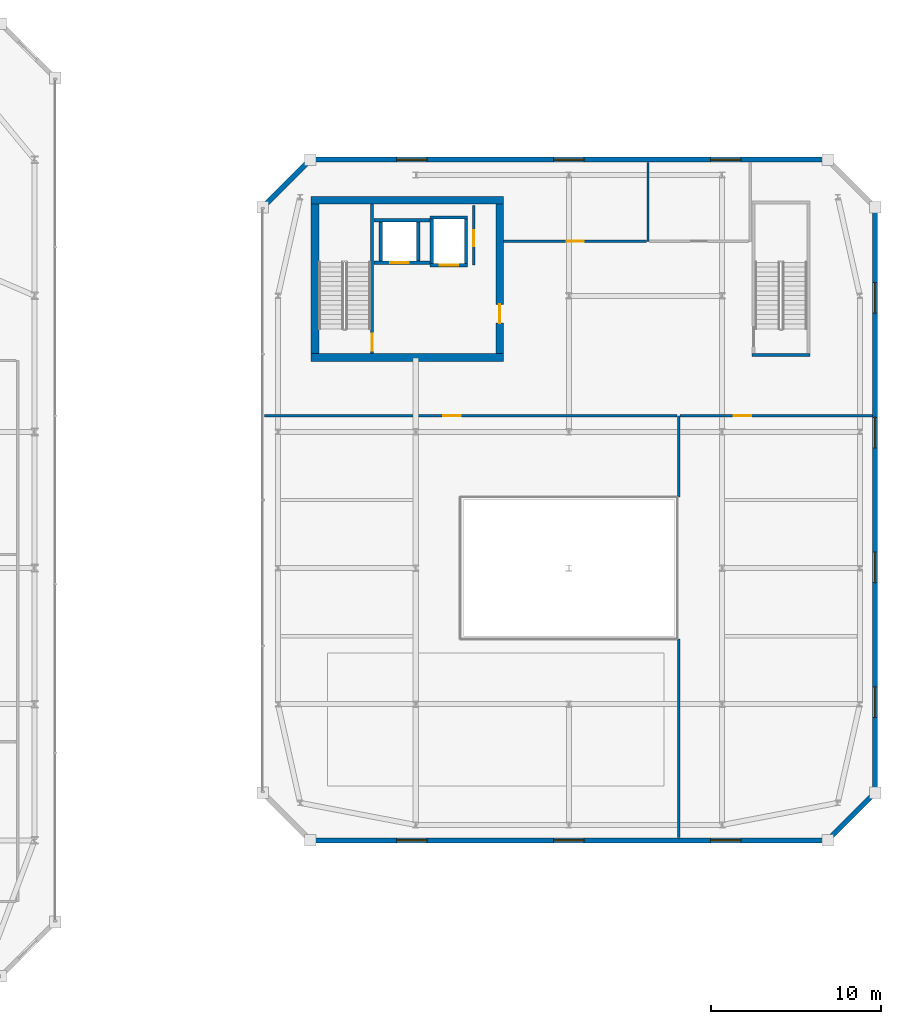
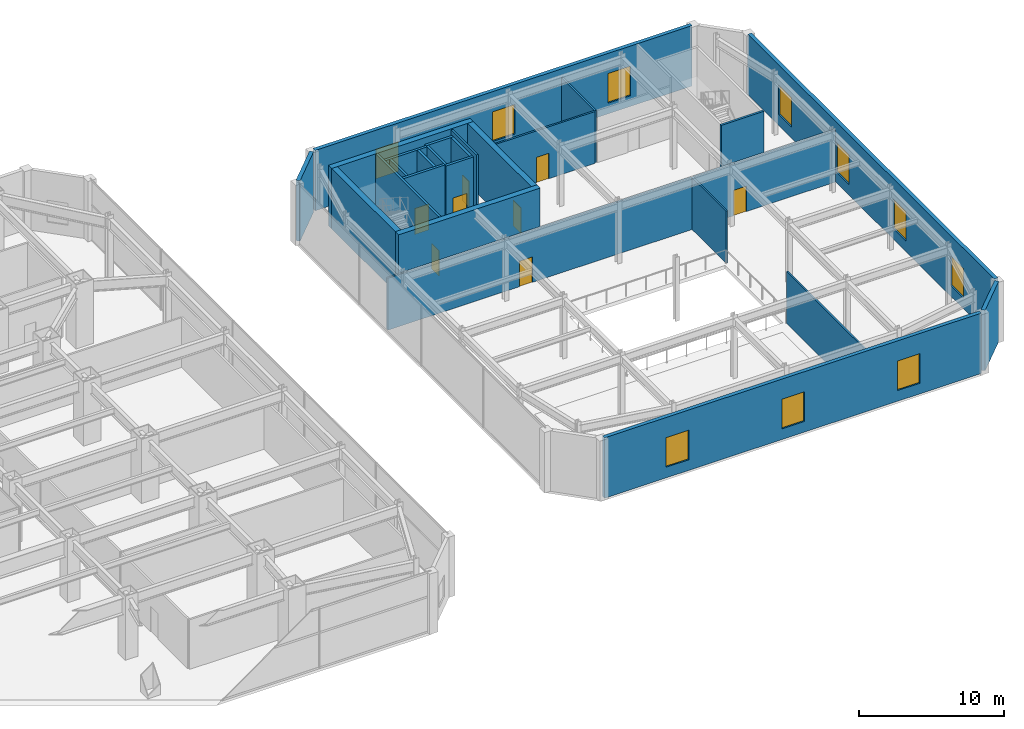
# One storey, part 42 of 52: 26 walls, 10 windows, 8 doors, 18 openings.
"""IFC4 building model written with IfcOpenShell, lengths in metres."""

from ifc_helpers import new_model, si_unit, direction, frame, frame_2d, origin, place, context, subcontext, project, spatial, rectangle, extrude, material, layer, layer_set, type_object, element, fill, save


model = new_model("IFC4")

# Units and contexts
model_context = context("Model", 3, precision=1e-05, world=origin(), true_north=direction((0.0, 1.0)))
body_context = subcontext(model_context, "Body", "Model", "MODEL_VIEW")
ifc_project = project(units=[si_unit("LENGTHUNIT", "METRE"), si_unit("AREAUNIT", "SQUARE_METRE"), si_unit("VOLUMEUNIT", "CUBIC_METRE"), si_unit("PLANEANGLEUNIT", "RADIAN"), si_unit("MASSUNIT", "GRAM", prefix="KILO")], contexts=[model_context])

# Site, building, storey
site_placement = place(None, origin())
site = spatial("IfcSite", under=ifc_project, at=site_placement, CompositionType="ELEMENT")
building_placement = place(site_placement, origin())
building = spatial("IfcBuilding", under=site, at=building_placement, Name="Saevonmaru Cultural Tower", CompositionType="ELEMENT")
storey_placement = place(building_placement, frame((0.0, 0.0, 16.800048828125)))
storey = spatial("IfcBuildingStorey", under=building, at=storey_placement, Name="L03", CompositionType="ELEMENT", Elevation=16.800048828125)

# Wall, opening, door
ifc_material_1 = material(Name="Gypsum Fireboard Partition", Category="gypsum")
ifc_layer_1 = layer(ifc_material_1, 0.14990234375, Name="Gypsum Fireboard Partition")
ifc_layer_set_1 = layer_set([ifc_layer_1], Name="Gypsum Fireboard Partition")
wall_type_1 = type_object("IfcWallType", Name="WL-CORE-PART-150", PredefinedType="PARTITIONING", material=ifc_layer_set_1)
wall_1_placement = place(storey_placement, frame((84.60009765625, 41.800048828125, 0.0), z_axis=(0.0, 0.0, 1.0), x_axis=(0.0, 1.0, 0.0)))
wall_1 = element("IfcWall", 1, at=wall_1_placement, inside=storey, type_object=wall_type_1, Name="L03 Library Core Riser Wall", PredefinedType="PARTITIONING", context=body_context, shape_type="SweptSolid", body=[
    extrude(rectangle(XDim=3.5, YDim=0.14990234375, at=frame_2d((1.75, 0.0))), origin(), (0.0, 0.0, 1.0), 5.099853515625),
])
opening_1_placement = place(wall_1_placement, frame((1.10009765625, 0.0, 0.0)))
opening_1 = element("IfcOpeningElement", 2, at=opening_1_placement, cuts=wall_1, Name="Opening FD-4", PredefinedType="OPENING", context=body_context, shape_type="SweptSolid", body=[
    extrude(rectangle(XDim=0.949951171875, YDim=2.14990234375, at=frame_2d((0.47509765625, 1.074951171875))), frame((0.0, 0.0849609375, 0.0), z_axis=(0.0, -1.0, 0.0), x_axis=(1.0, 0.0, 0.0)), (0.0, 0.0, 1.0), 0.169921875),
])
ifc_material_2 = material(Name="Satin Bronze Anodised Aluminium", Category="aluminium")
door_type_1 = type_object("IfcDoorType", Name="DR-FD60-950", OperationType="SINGLE_SWING_LEFT", PredefinedType="DOOR", material=ifc_material_2)
door_1_placement = place(opening_1_placement, origin())
door_1 = element("IfcDoor", 3, at=door_1_placement, inside=storey, type_object=door_type_1, Name="L03 Library Core Riser Plant Door", OperationType="SINGLE_SWING_LEFT", OverallHeight=2.14990234375, OverallWidth=0.949951171875, PredefinedType="DOOR", context=body_context, shape_type="SweptSolid", body=[
    extrude(rectangle(XDim=0.949951171875, YDim=2.14990234375, at=frame_2d((0.47509765625, 1.074951171875))), frame((0.0, 0.02490234375, 0.0), z_axis=(0.0, -1.0, 0.0), x_axis=(1.0, 0.0, 0.0)), (0.0, 0.0, 1.0), 0.050048828125),
])
fill(opening_1, door_1)

# Wall, openings, windows
ifc_material_3 = material(Name="Warm Limestone Precast Concrete C40/50", Category="masonry")
ifc_layer_2 = layer(ifc_material_3, 0.300048828125, Name="Warm Limestone Precast Concrete C40/50")
ifc_layer_set_2 = layer_set([ifc_layer_2], Name="Warm Limestone Precast Concrete C40/50")
wall_type_2 = type_object("IfcWallType", Name="WL-EXT-LIB-300", PredefinedType="STANDARD", material=ifc_layer_set_2)
wall_2_placement = place(storey_placement, frame((75.159912109375, 8.0, 0.0), z_axis=(0.0, 0.0, 1.0), x_axis=(1.0, 0.0, 0.0)))
wall_2 = element("IfcWall", 4, at=wall_2_placement, inside=storey, type_object=wall_type_2, Name="L03 Central Library Fluted Stone Wall E2", PredefinedType="STANDARD", context=body_context, shape_type="SweptSolid", body=[
    extrude(rectangle(XDim=30.080078125, YDim=0.300048828125, at=frame_2d((15.0400390625, 0.0))), origin(), (0.0, 0.0, 1.0), 5.099853515625),
])
opening_2_placement = place(wall_2_placement, frame((4.9130859375, 0.0, 0.89990234375)))
opening_2 = element("IfcOpeningElement", 5, at=opening_2_placement, cuts=wall_2, Name="Opening W-3B", PredefinedType="OPENING", context=body_context, shape_type="SweptSolid", body=[
    extrude(rectangle(XDim=1.800048828125, YDim=2.5, at=frame_2d((0.89990234375, 1.25))), frame((0.0, 0.16015625, 0.0), z_axis=(0.0, -1.0, 0.0), x_axis=(1.0, 0.0, 0.0)), (0.0, 0.0, 1.0), 0.320068359375),
])
opening_3_placement = place(wall_2_placement, frame((14.139892578125, 0.0, 0.89990234375)))
opening_3 = element("IfcOpeningElement", 6, at=opening_3_placement, cuts=wall_2, Name="Opening W-3B", PredefinedType="OPENING", context=body_context, shape_type="SweptSolid", body=[
    extrude(rectangle(XDim=1.800048828125, YDim=2.5, at=frame_2d((0.89990234375, 1.25))), frame((0.0, 0.16015625, 0.0), z_axis=(0.0, -1.0, 0.0), x_axis=(1.0, 0.0, 0.0)), (0.0, 0.0, 1.0), 0.320068359375),
])
opening_4_placement = place(wall_2_placement, frame((23.366943359375, 0.0, 0.89990234375)))
opening_4 = element("IfcOpeningElement", 7, at=opening_4_placement, cuts=wall_2, Name="Opening W-3B", PredefinedType="OPENING", context=body_context, shape_type="SweptSolid", body=[
    extrude(rectangle(XDim=1.800048828125, YDim=2.5, at=frame_2d((0.89990234375, 1.25))), frame((0.0, 0.16015625, 0.0), z_axis=(0.0, -1.0, 0.0), x_axis=(1.0, 0.0, 0.0)), (0.0, 0.0, 1.0), 0.320068359375),
])
window_type = type_object("IfcWindowType", Name="WN-LIB-1800x2500", PartitioningType="DOUBLE_PANEL_VERTICAL", PredefinedType="WINDOW", material=ifc_material_2)
window_1_placement = place(opening_2_placement, origin())
window_1 = element("IfcWindow", 8, at=window_1_placement, inside=storey, type_object=window_type, Name="L03 Library Reading Window E2-1", OverallHeight=2.5, OverallWidth=1.800048828125, PartitioningType="DOUBLE_PANEL_VERTICAL", PredefinedType="WINDOW", context=body_context, shape_type="SweptSolid", body=[
    extrude(rectangle(XDim=1.800048828125, YDim=2.5, at=frame_2d((0.89990234375, 1.25))), frame((0.0, 0.030029296875, 0.0), z_axis=(0.0, -1.0, 0.0), x_axis=(1.0, 0.0, 0.0)), (0.0, 0.0, 1.0), 0.06005859375),
])
fill(opening_2, window_1)
window_2_placement = place(opening_3_placement, origin())
window_2 = element("IfcWindow", 9, at=window_2_placement, inside=storey, type_object=window_type, Name="L03 Library Reading Window E2-2", OverallHeight=2.5, OverallWidth=1.800048828125, PartitioningType="DOUBLE_PANEL_VERTICAL", PredefinedType="WINDOW", context=body_context, shape_type="SweptSolid", body=[
    extrude(rectangle(XDim=1.800048828125, YDim=2.5, at=frame_2d((0.89990234375, 1.25))), frame((0.0, 0.030029296875, 0.0), z_axis=(0.0, -1.0, 0.0), x_axis=(1.0, 0.0, 0.0)), (0.0, 0.0, 1.0), 0.06005859375),
])
fill(opening_3, window_2)
window_3_placement = place(opening_4_placement, origin())
window_3 = element("IfcWindow", 10, at=window_3_placement, inside=storey, type_object=window_type, Name="L03 Library Reading Window E2-3", OverallHeight=2.5, OverallWidth=1.800048828125, PartitioningType="DOUBLE_PANEL_VERTICAL", PredefinedType="WINDOW", context=body_context, shape_type="SweptSolid", body=[
    extrude(rectangle(XDim=1.800048828125, YDim=2.5, at=frame_2d((0.89990234375, 1.25))), frame((0.0, 0.030029296875, 0.0), z_axis=(0.0, -1.0, 0.0), x_axis=(1.0, 0.0, 0.0)), (0.0, 0.0, 1.0), 0.06005859375),
])
fill(opening_4, window_3)

# Wall
wall_3_placement = place(storey_placement, frame((105.51318359375, 8.113037109375, 0.0), z_axis=(0.0, 0.0, 1.0), x_axis=(0.707073244381, 0.707140316402, 0.0)))
element("IfcWall", 11, at=wall_3_placement, inside=storey, type_object=wall_type_2, Name="L03 Central Library Fluted Stone Wall E3", PredefinedType="STANDARD", context=body_context, shape_type="SweptSolid", body=[
    extrude(rectangle(XDim=3.639892578125, YDim=0.300048828125, at=frame_2d((1.81982421875, 0.0))), origin(), (0.0, 0.0, 1.0), 5.099853515625),
])

# Wall, openings, windows
wall_4_placement = place(storey_placement, frame((108.199951171875, 10.9599609375, 0.0), z_axis=(0.0, 0.0, 1.0), x_axis=(0.0, 1.0, 0.0)))
wall_4 = element("IfcWall", 12, at=wall_4_placement, inside=storey, type_object=wall_type_2, Name="L03 Central Library Fluted Stone Wall E4", PredefinedType="STANDARD", context=body_context, shape_type="SweptSolid", body=[
    extrude(rectangle(XDim=34.080078125, YDim=0.300048828125, at=frame_2d((17.0400390625, 0.0))), origin(), (0.0, 0.0, 1.0), 5.099853515625),
])
opening_5_placement = place(wall_4_placement, frame((4.260009765625, 0.0, 0.89990234375)))
opening_5 = element("IfcOpeningElement", 13, at=opening_5_placement, cuts=wall_4, Name="Opening W-3B", PredefinedType="OPENING", context=body_context, shape_type="SweptSolid", body=[
    extrude(rectangle(XDim=1.800048828125, YDim=2.5, at=frame_2d((0.89990234375, 1.25))), frame((0.0, 0.16015625, 0.0), z_axis=(0.0, -1.0, 0.0), x_axis=(1.0, 0.0, 0.0)), (0.0, 0.0, 1.0), 0.320068359375),
])
opening_6_placement = place(wall_4_placement, frame((12.179931640625, 0.0, 0.89990234375)))
opening_6 = element("IfcOpeningElement", 14, at=opening_6_placement, cuts=wall_4, Name="Opening W-3B", PredefinedType="OPENING", context=body_context, shape_type="SweptSolid", body=[
    extrude(rectangle(XDim=1.800048828125, YDim=2.5, at=frame_2d((0.89990234375, 1.25))), frame((0.0, 0.16015625, 0.0), z_axis=(0.0, -1.0, 0.0), x_axis=(1.0, 0.0, 0.0)), (0.0, 0.0, 1.0), 0.320068359375),
])
opening_7_placement = place(wall_4_placement, frame((20.10009765625, 0.0, 0.89990234375)))
opening_7 = element("IfcOpeningElement", 15, at=opening_7_placement, cuts=wall_4, Name="Opening W-3B", PredefinedType="OPENING", context=body_context, shape_type="SweptSolid", body=[
    extrude(rectangle(XDim=1.800048828125, YDim=2.5, at=frame_2d((0.89990234375, 1.25))), frame((0.0, 0.16015625, 0.0), z_axis=(0.0, -1.0, 0.0), x_axis=(1.0, 0.0, 0.0)), (0.0, 0.0, 1.0), 0.320068359375),
])
opening_8_placement = place(wall_4_placement, frame((28.02001953125, 0.0, 0.89990234375)))
opening_8 = element("IfcOpeningElement", 16, at=opening_8_placement, cuts=wall_4, Name="Opening W-3B", PredefinedType="OPENING", context=body_context, shape_type="SweptSolid", body=[
    extrude(rectangle(XDim=1.800048828125, YDim=2.5, at=frame_2d((0.89990234375, 1.25))), frame((0.0, 0.16015625, 0.0), z_axis=(0.0, -1.0, 0.0), x_axis=(1.0, 0.0, 0.0)), (0.0, 0.0, 1.0), 0.320068359375),
])
window_4_placement = place(opening_5_placement, origin())
window_4 = element("IfcWindow", 17, at=window_4_placement, inside=storey, type_object=window_type, Name="L03 Library Reading Window E4-1", OverallHeight=2.5, OverallWidth=1.800048828125, PartitioningType="DOUBLE_PANEL_VERTICAL", PredefinedType="WINDOW", context=body_context, shape_type="SweptSolid", body=[
    extrude(rectangle(XDim=1.800048828125, YDim=2.5, at=frame_2d((0.89990234375, 1.25))), frame((0.0, 0.030029296875, 0.0), z_axis=(0.0, -1.0, 0.0), x_axis=(1.0, 0.0, 0.0)), (0.0, 0.0, 1.0), 0.06005859375),
])
fill(opening_5, window_4)
window_5_placement = place(opening_6_placement, origin())
window_5 = element("IfcWindow", 18, at=window_5_placement, inside=storey, type_object=window_type, Name="L03 Library Reading Window E4-2", OverallHeight=2.5, OverallWidth=1.800048828125, PartitioningType="DOUBLE_PANEL_VERTICAL", PredefinedType="WINDOW", context=body_context, shape_type="SweptSolid", body=[
    extrude(rectangle(XDim=1.800048828125, YDim=2.5, at=frame_2d((0.89990234375, 1.25))), frame((0.0, 0.030029296875, 0.0), z_axis=(0.0, -1.0, 0.0), x_axis=(1.0, 0.0, 0.0)), (0.0, 0.0, 1.0), 0.06005859375),
])
fill(opening_6, window_5)
window_6_placement = place(opening_7_placement, origin())
window_6 = element("IfcWindow", 19, at=window_6_placement, inside=storey, type_object=window_type, Name="L03 Library Reading Window E4-3", OverallHeight=2.5, OverallWidth=1.800048828125, PartitioningType="DOUBLE_PANEL_VERTICAL", PredefinedType="WINDOW", context=body_context, shape_type="SweptSolid", body=[
    extrude(rectangle(XDim=1.800048828125, YDim=2.5, at=frame_2d((0.89990234375, 1.25))), frame((0.0, 0.030029296875, 0.0), z_axis=(0.0, -1.0, 0.0), x_axis=(1.0, 0.0, 0.0)), (0.0, 0.0, 1.0), 0.06005859375),
])
fill(opening_7, window_6)
window_7_placement = place(opening_8_placement, origin())
window_7 = element("IfcWindow", 20, at=window_7_placement, inside=storey, type_object=window_type, Name="L03 Library Reading Window E4-4", OverallHeight=2.5, OverallWidth=1.800048828125, PartitioningType="DOUBLE_PANEL_VERTICAL", PredefinedType="WINDOW", context=body_context, shape_type="SweptSolid", body=[
    extrude(rectangle(XDim=1.800048828125, YDim=2.5, at=frame_2d((0.89990234375, 1.25))), frame((0.0, 0.030029296875, 0.0), z_axis=(0.0, -1.0, 0.0), x_axis=(1.0, 0.0, 0.0)), (0.0, 0.0, 1.0), 0.06005859375),
])
fill(opening_8, window_7)

wall_5_placement = place(storey_placement, frame((105.239990234375, 48.0, 0.0), z_axis=(0.0, 0.0, 1.0), x_axis=(-1.0, 0.0, 0.0)))
wall_5 = element("IfcWall", 21, at=wall_5_placement, inside=storey, type_object=wall_type_2, Name="L03 Central Library Fluted Stone Wall E6", PredefinedType="STANDARD", context=body_context, shape_type="SweptSolid", body=[
    extrude(rectangle(XDim=30.080078125, YDim=0.300048828125, at=frame_2d((15.0400390625, 0.0))), origin(), (0.0, 0.0, 1.0), 5.099853515625),
])
opening_9_placement = place(wall_5_placement, frame((4.9130859375, 0.0, 0.89990234375)))
opening_9 = element("IfcOpeningElement", 22, at=opening_9_placement, cuts=wall_5, Name="Opening W-3B", PredefinedType="OPENING", context=body_context, shape_type="SweptSolid", body=[
    extrude(rectangle(XDim=1.800048828125, YDim=2.5, at=frame_2d((0.89990234375, 1.25))), frame((0.0, 0.16015625, 0.0), z_axis=(0.0, -1.0, 0.0), x_axis=(1.0, 0.0, 0.0)), (0.0, 0.0, 1.0), 0.320068359375),
])
opening_10_placement = place(wall_5_placement, frame((14.139892578125, 0.0, 0.89990234375)))
opening_10 = element("IfcOpeningElement", 23, at=opening_10_placement, cuts=wall_5, Name="Opening W-3B", PredefinedType="OPENING", context=body_context, shape_type="SweptSolid", body=[
    extrude(rectangle(XDim=1.800048828125, YDim=2.5, at=frame_2d((0.89990234375, 1.25))), frame((0.0, 0.16015625, 0.0), z_axis=(0.0, -1.0, 0.0), x_axis=(1.0, 0.0, 0.0)), (0.0, 0.0, 1.0), 0.320068359375),
])
opening_11_placement = place(wall_5_placement, frame((23.366943359375, 0.0, 0.89990234375)))
opening_11 = element("IfcOpeningElement", 24, at=opening_11_placement, cuts=wall_5, Name="Opening W-3B", PredefinedType="OPENING", context=body_context, shape_type="SweptSolid", body=[
    extrude(rectangle(XDim=1.800048828125, YDim=2.5, at=frame_2d((0.89990234375, 1.25))), frame((0.0, 0.16015625, 0.0), z_axis=(0.0, -1.0, 0.0), x_axis=(1.0, 0.0, 0.0)), (0.0, 0.0, 1.0), 0.320068359375),
])
window_8_placement = place(opening_9_placement, origin())
window_8 = element("IfcWindow", 25, at=window_8_placement, inside=storey, type_object=window_type, Name="L03 Library Reading Window E6-1", OverallHeight=2.5, OverallWidth=1.800048828125, PartitioningType="DOUBLE_PANEL_VERTICAL", PredefinedType="WINDOW", context=body_context, shape_type="SweptSolid", body=[
    extrude(rectangle(XDim=1.800048828125, YDim=2.5, at=frame_2d((0.89990234375, 1.25))), frame((0.0, 0.030029296875, 0.0), z_axis=(0.0, -1.0, 0.0), x_axis=(1.0, 0.0, 0.0)), (0.0, 0.0, 1.0), 0.06005859375),
])
fill(opening_9, window_8)
window_9_placement = place(opening_10_placement, origin())
window_9 = element("IfcWindow", 26, at=window_9_placement, inside=storey, type_object=window_type, Name="L03 Library Reading Window E6-2", OverallHeight=2.5, OverallWidth=1.800048828125, PartitioningType="DOUBLE_PANEL_VERTICAL", PredefinedType="WINDOW", context=body_context, shape_type="SweptSolid", body=[
    extrude(rectangle(XDim=1.800048828125, YDim=2.5, at=frame_2d((0.89990234375, 1.25))), frame((0.0, 0.030029296875, 0.0), z_axis=(0.0, -1.0, 0.0), x_axis=(1.0, 0.0, 0.0)), (0.0, 0.0, 1.0), 0.06005859375),
])
fill(opening_10, window_9)
window_10_placement = place(opening_11_placement, origin())
window_10 = element("IfcWindow", 27, at=window_10_placement, inside=storey, type_object=window_type, Name="L03 Library Reading Window E6-3", OverallHeight=2.5, OverallWidth=1.800048828125, PartitioningType="DOUBLE_PANEL_VERTICAL", PredefinedType="WINDOW", context=body_context, shape_type="SweptSolid", body=[
    extrude(rectangle(XDim=1.800048828125, YDim=2.5, at=frame_2d((0.89990234375, 1.25))), frame((0.0, 0.030029296875, 0.0), z_axis=(0.0, -1.0, 0.0), x_axis=(1.0, 0.0, 0.0)), (0.0, 0.0, 1.0), 0.06005859375),
])
fill(opening_11, window_10)

# Walls
wall_6_placement = place(storey_placement, frame((74.886962890625, 47.886962890625, 0.0), z_axis=(0.0, 0.0, 1.0), x_axis=(-0.707106781187, -0.707106781187, 0.0)))
element("IfcWall", 28, at=wall_6_placement, inside=storey, type_object=wall_type_2, Name="L03 Central Library Fluted Stone Wall E7", PredefinedType="STANDARD", context=body_context, shape_type="SweptSolid", body=[
    extrude(rectangle(XDim=3.64013671875, YDim=0.300048828125, at=frame_2d((1.820068359375, 0.0))), origin(), (0.0, 0.0, 1.0), 5.099853515625),
])
ifc_material_4 = material(Name="Concrete C50/60", Category="concrete")
ifc_layer_3 = layer(ifc_material_4, 0.449951171875, Name="Concrete C50/60")
ifc_layer_set_3 = layer_set([ifc_layer_3], Name="Concrete C50/60")
wall_type_3 = type_object("IfcWallType", Name="WL-LCORE-450", PredefinedType="SHEAR", material=ifc_layer_set_3)
for number, where, z_axis, x_axis, name in (
    (29, (75.050048828125, 36.375, 0.0), (0.0, 0.0, 1.0), (1.0, 0.0, 0.0), "L03 Central Library RC core shear wall S"),
    (30, (75.050048828125, 45.625, 0.0), (0.0, 0.0, 1.0), (1.0, 0.0, 0.0), "L03 Central Library RC core shear wall N"),
):
    element("IfcWall", number, at=place(storey_placement, frame(where, z_axis=z_axis, x_axis=x_axis)), inside=storey, type_object=wall_type_3, Name=name, PredefinedType="SHEAR", context=body_context, shape_type="SweptSolid", body=[
        extrude(rectangle(XDim=11.300048828125, YDim=0.449951171875, at=frame_2d((5.64990234375, 0.0))), origin(), (0.0, 0.0, 1.0), 5.099853515625),
    ])
wall_7_placement = place(storey_placement, frame((75.27490234375, 36.60009765625, 0.0), z_axis=(0.0, 0.0, 1.0), x_axis=(0.0, 1.0, 0.0)))
element("IfcWall", 31, at=wall_7_placement, inside=storey, type_object=wall_type_3, Name="L03 Central Library RC core shear wall W", PredefinedType="SHEAR", context=body_context, shape_type="SweptSolid", body=[
    extrude(rectangle(XDim=8.7998046875, YDim=0.449951171875, at=frame_2d((4.39990234375, 0.0))), origin(), (0.0, 0.0, 1.0), 5.099853515625),
])

# Wall, opening, door
wall_8_placement = place(storey_placement, frame((86.125, 36.60009765625, 0.0), z_axis=(0.0, 0.0, 1.0), x_axis=(0.0, 1.0, 0.0)))
wall_8 = element("IfcWall", 32, at=wall_8_placement, inside=storey, type_object=wall_type_3, Name="L03 Central Library RC core shear wall E", PredefinedType="SHEAR", context=body_context, shape_type="SweptSolid", body=[
    extrude(rectangle(XDim=8.7998046875, YDim=0.449951171875, at=frame_2d((4.39990234375, 0.0))), origin(), (0.0, 0.0, 1.0), 5.099853515625),
])
opening_12_placement = place(wall_8_placement, frame((1.800048828125, 0.0, 0.0)))
opening_12 = element("IfcOpeningElement", 33, at=opening_12_placement, cuts=wall_8, Name="Opening FD-2", PredefinedType="OPENING", context=body_context, shape_type="SweptSolid", body=[
    extrude(rectangle(XDim=1.10009765625, YDim=2.14990234375, at=frame_2d((0.550048828125, 1.074951171875))), frame((0.0, 0.23486328125, 0.0), z_axis=(0.0, -1.0, 0.0), x_axis=(1.0, 0.0, 0.0)), (0.0, 0.0, 1.0), 0.469970703125),
])
door_type_2 = type_object("IfcDoorType", Name="DR-FD60-1100", OperationType="SINGLE_SWING_LEFT", PredefinedType="DOOR", material=ifc_material_2)
door_2_placement = place(opening_12_placement, origin())
door_2 = element("IfcDoor", 34, at=door_2_placement, inside=storey, type_object=door_type_2, Name="L03 Library Core Lobby Fire Door", OperationType="SINGLE_SWING_LEFT", OverallHeight=2.14990234375, OverallWidth=1.10009765625, PredefinedType="DOOR", context=body_context, shape_type="SweptSolid", body=[
    extrude(rectangle(XDim=1.10009765625, YDim=2.14990234375, at=frame_2d((0.550048828125, 1.074951171875))), frame((0.0, 0.02490234375, 0.0), z_axis=(0.0, -1.0, 0.0), x_axis=(1.0, 0.0, 0.0)), (0.0, 0.0, 1.0), 0.050048828125),
])
fill(opening_12, door_2)

ifc_layer_4 = layer(ifc_material_1, 0.14990234375, Name="Gypsum Fireboard Partition")
ifc_layer_set_4 = layer_set([ifc_layer_4], Name="Gypsum Fireboard Partition")
wall_type_4 = type_object("IfcWallType", Name="WL-PART-FIRE-150", PredefinedType="PARTITIONING", material=ifc_layer_set_4)
wall_9_placement = place(storey_placement, frame((72.300048828125, 32.949951171875, 0.0), z_axis=(0.0, 0.0, 1.0), x_axis=(1.0, 0.0, 0.0)))
wall_9 = element("IfcWall", 35, at=wall_9_placement, inside=storey, type_object=wall_type_4, Name="L03 Library West Reading Concourse Wall", PredefinedType="PARTITIONING", context=body_context, shape_type="SweptSolid", body=[
    extrude(rectangle(XDim=24.262451171875, YDim=0.14990234375, at=frame_2d((12.13134765625, 0.0))), origin(), (0.0, 0.0, 1.0), 4.385009765625),
])
opening_13_placement = place(wall_9_placement, frame((10.506103515625, 0.0, 0.0)))
opening_13 = element("IfcOpeningElement", 36, at=opening_13_placement, cuts=wall_9, Name="Opening ID-1", PredefinedType="OPENING", context=body_context, shape_type="SweptSolid", body=[
    extrude(rectangle(XDim=1.050048828125, YDim=2.14990234375, at=frame_2d((0.52490234375, 1.074951171875))), frame((0.0, 0.0849609375, 0.0), z_axis=(0.0, -1.0, 0.0), x_axis=(1.0, 0.0, 0.0)), (0.0, 0.0, 1.0), 0.169921875),
])
door_type_3 = type_object("IfcDoorType", Name="DR-INT-1050", OperationType="SINGLE_SWING_LEFT", PredefinedType="DOOR", material=ifc_material_2)
door_3_placement = place(opening_13_placement, origin())
door_3 = element("IfcDoor", 37, at=door_3_placement, inside=storey, type_object=door_type_3, Name="L03 South Open Reading Gallery Door", OperationType="SINGLE_SWING_LEFT", OverallHeight=2.14990234375, OverallWidth=1.050048828125, PredefinedType="DOOR", context=body_context, shape_type="SweptSolid", body=[
    extrude(rectangle(XDim=1.050048828125, YDim=2.14990234375, at=frame_2d((0.52490234375, 1.074951171875))), frame((0.0, 0.02490234375, 0.0), z_axis=(0.0, -1.0, 0.0), x_axis=(1.0, 0.0, 0.0)), (0.0, 0.0, 1.0), 0.050048828125),
])
fill(opening_13, door_3)

wall_10_placement = place(storey_placement, frame((96.737548828125, 32.949951171875, 0.0), z_axis=(0.0, 0.0, 1.0), x_axis=(1.0, 0.0, 0.0)))
wall_10 = element("IfcWall", 38, at=wall_10_placement, inside=storey, type_object=wall_type_4, Name="L03 Library East Reading Concourse Wall", PredefinedType="PARTITIONING", context=body_context, shape_type="SweptSolid", body=[
    extrude(rectangle(XDim=11.29248046875, YDim=0.14990234375, at=frame_2d((5.646240234375, 0.0))), origin(), (0.0, 0.0, 1.0), 4.385009765625),
])
opening_14_placement = place(wall_10_placement, frame((3.14111328125, 0.0, 0.0)))
opening_14 = element("IfcOpeningElement", 39, at=opening_14_placement, cuts=wall_10, Name="Opening ID-1", PredefinedType="OPENING", context=body_context, shape_type="SweptSolid", body=[
    extrude(rectangle(XDim=1.050048828125, YDim=2.14990234375, at=frame_2d((0.52490234375, 1.074951171875))), frame((0.0, 0.0849609375, 0.0), z_axis=(0.0, -1.0, 0.0), x_axis=(1.0, 0.0, 0.0)), (0.0, 0.0, 1.0), 0.169921875),
])
door_4_placement = place(opening_14_placement, origin())
door_4 = element("IfcDoor", 40, at=door_4_placement, inside=storey, type_object=door_type_3, Name="L03 East Atrium Reading Gallery Door", OperationType="SINGLE_SWING_RIGHT", OverallHeight=2.14990234375, OverallWidth=1.050048828125, PredefinedType="DOOR", context=body_context, shape_type="SweptSolid", body=[
    extrude(rectangle(XDim=1.050048828125, YDim=2.14990234375, at=frame_2d((0.52490234375, 1.074951171875))), frame((0.0, 0.02490234375, 0.0), z_axis=(0.0, -1.0, 0.0), x_axis=(1.0, 0.0, 0.0)), (0.0, 0.0, 1.0), 0.050048828125),
])
fill(opening_14, door_4)

wall_11_placement = place(storey_placement, frame((86.3701171875, 43.199951171875, 0.0), z_axis=(0.0, 0.0, 1.0), x_axis=(1.0, 0.0, 0.0)))
wall_11 = element("IfcWall", 41, at=wall_11_placement, inside=storey, type_object=wall_type_4, Name="L03 Library Rare Book Room Wall", PredefinedType="PARTITIONING", context=body_context, shape_type="SweptSolid", body=[
    extrude(rectangle(XDim=8.389892578125, YDim=0.14990234375, at=frame_2d((4.19482421875, 0.0))), origin(), (0.0, 0.0, 1.0), 4.385009765625),
])
opening_15_placement = place(wall_11_placement, frame((3.695068359375, 0.0, 0.0)))
opening_15 = element("IfcOpeningElement", 42, at=opening_15_placement, cuts=wall_11, Name="Opening FD-3", PredefinedType="OPENING", context=body_context, shape_type="SweptSolid", body=[
    extrude(rectangle(XDim=1.0, YDim=2.14990234375, at=frame_2d((0.5, 1.074951171875))), frame((0.0, 0.0849609375, 0.0), z_axis=(0.0, -1.0, 0.0), x_axis=(1.0, 0.0, 0.0)), (0.0, 0.0, 1.0), 0.169921875),
])
door_type_4 = type_object("IfcDoorType", Name="DR-FD60-1000", OperationType="SINGLE_SWING_RIGHT", PredefinedType="DOOR", material=ifc_material_2)
door_5_placement = place(opening_15_placement, origin())
door_5 = element("IfcDoor", 43, at=door_5_placement, inside=storey, type_object=door_type_4, Name="L03 Rare Book Archive Door", OperationType="SINGLE_SWING_LEFT", OverallHeight=2.14990234375, OverallWidth=1.0, PredefinedType="DOOR", context=body_context, shape_type="SweptSolid", body=[
    extrude(rectangle(XDim=1.0, YDim=2.14990234375, at=frame_2d((0.5, 1.074951171875))), frame((0.0, 0.02490234375, 0.0), z_axis=(0.0, -1.0, 0.0), x_axis=(1.0, 0.0, 0.0)), (0.0, 0.0, 1.0), 0.050048828125),
])
fill(opening_15, door_5)

# Walls
ifc_layer_5 = layer(ifc_material_1, 0.135009765625, Name="Gypsum Fireboard Partition")
ifc_layer_set_5 = layer_set([ifc_layer_5], Name="Gypsum Fireboard Partition")
wall_type_5 = type_object("IfcWallType", Name="WL-PART-GYP-135", PredefinedType="PARTITIONING", material=ifc_layer_set_5)
wall_12_placement = place(storey_placement, frame((96.64990234375, 8.169921875, 0.0), z_axis=(0.0, 0.0, 1.0), x_axis=(0.0, 1.0, 0.0)))
element("IfcWall", 44, at=wall_12_placement, inside=storey, type_object=wall_type_5, Name="L03 Library South-East Gallery Wall", PredefinedType="PARTITIONING", context=body_context, shape_type="SweptSolid", body=[
    extrude(rectangle(XDim=11.650146484375, YDim=0.135009765625, at=frame_2d((5.8251953125, 0.0))), origin(), (0.0, 0.0, 1.0), 4.385009765625),
])
wall_13_placement = place(storey_placement, frame((96.64990234375, 28.179931640625, 0.0), z_axis=(0.0, 0.0, 1.0), x_axis=(0.0, 1.0, 0.0)))
element("IfcWall", 45, at=wall_13_placement, inside=storey, type_object=wall_type_5, Name="L03 Library North-East Gallery Wall", PredefinedType="PARTITIONING", context=body_context, shape_type="SweptSolid", body=[
    extrude(rectangle(XDim=4.77001953125, YDim=0.135009765625, at=frame_2d((2.385009765625, 0.0))), origin(), (0.0, 0.0, 1.0), 4.385009765625),
])
ifc_layer_6 = layer(ifc_material_1, 0.139892578125, Name="Gypsum Fireboard Partition")
ifc_layer_set_6 = layer_set([ifc_layer_6], Name="Gypsum Fireboard Partition")
wall_type_6 = type_object("IfcWallType", Name="WL-PART-WET-140", PredefinedType="PARTITIONING", material=ifc_layer_set_6)
wall_14_placement = place(storey_placement, frame((94.85009765625, 43.199951171875, 0.0), z_axis=(0.0, 0.0, 1.0), x_axis=(0.0, 1.0, 0.0)))
element("IfcWall", 46, at=wall_14_placement, inside=storey, type_object=wall_type_6, Name="L03 Library Archive-Washroom Divider", PredefinedType="PARTITIONING", context=body_context, shape_type="SweptSolid", body=[
    extrude(rectangle(XDim=4.630126953125, YDim=0.139892578125, at=frame_2d((2.31494140625, 0.0))), origin(), (0.0, 0.0, 1.0), 4.385009765625),
])

# Wall, opening, door
ifc_material_5 = material(Name="Concrete C40/50", Category="concrete")
ifc_layer_7 = layer(ifc_material_5, 0.199951171875, Name="Concrete C40/50")
ifc_layer_set_7 = layer_set([ifc_layer_7], Name="Concrete C40/50")
wall_type_7 = type_object("IfcWallType", Name="WL-SHAFT-200", PredefinedType="SHEAR", material=ifc_layer_set_7)
wall_15_placement = place(storey_placement, frame((78.72998046875, 41.949951171875, 0.0), z_axis=(0.0, 0.0, 1.0), x_axis=(1.0, 0.0, 0.0)))
wall_15 = element("IfcWall", 47, at=wall_15_placement, inside=storey, type_object=wall_type_7, Name="L03 Lift LLF-1 Hoistway Wall S", PredefinedType="SHEAR", context=body_context, shape_type="SweptSolid", body=[
    extrude(rectangle(XDim=3.320068359375, YDim=0.199951171875, at=frame_2d((1.66015625, 0.0))), origin(), (0.0, 0.0, 1.0), 5.099853515625),
])
opening_16_placement = place(wall_15_placement, frame((0.969970703125, 0.0, 0.0)))
opening_16 = element("IfcOpeningElement", 48, at=opening_16_placement, cuts=wall_15, Name="Opening LD-1", PredefinedType="OPENING", context=body_context, shape_type="SweptSolid", body=[
    extrude(rectangle(XDim=1.10009765625, YDim=2.199951171875, at=frame_2d((0.550048828125, 1.10009765625))), frame((0.0, 0.10986328125, 0.0), z_axis=(0.0, -1.0, 0.0), x_axis=(1.0, 0.0, 0.0)), (0.0, 0.0, 1.0), 0.219970703125),
])
ifc_material_6 = material(Name="Satin Bronze Stainless Steel", Category="steel")
door_type_5 = type_object("IfcDoorType", Name="DR-LIFT-1100", OperationType="SLIDING_TO_LEFT", PredefinedType="DOOR", material=ifc_material_6)
door_6_placement = place(opening_16_placement, origin())
door_6 = element("IfcDoor", 49, at=door_6_placement, inside=storey, type_object=door_type_5, Name="L03 Lift LLF-1 Sliding Landing Door", OperationType="SLIDING_TO_LEFT", OverallHeight=2.199951171875, OverallWidth=1.10009765625, PredefinedType="DOOR", context=body_context, shape_type="SweptSolid", body=[
    extrude(rectangle(XDim=1.10009765625, YDim=2.199951171875, at=frame_2d((0.550048828125, 1.10009765625))), frame((0.0, 0.02490234375, 0.0), z_axis=(0.0, -1.0, 0.0), x_axis=(1.0, 0.0, 0.0)), (0.0, 0.0, 1.0), 0.050048828125),
])
fill(opening_16, door_6)

# Walls
wall_16_placement = place(storey_placement, frame((78.72998046875, 44.449951171875, 0.0), z_axis=(0.0, 0.0, 1.0), x_axis=(1.0, 0.0, 0.0)))
element("IfcWall", 50, at=wall_16_placement, inside=storey, type_object=wall_type_7, Name="L03 Lift LLF-1 Hoistway Wall N", PredefinedType="SHEAR", context=body_context, shape_type="SweptSolid", body=[
    extrude(rectangle(XDim=3.320068359375, YDim=0.199951171875, at=frame_2d((1.66015625, 0.0))), origin(), (0.0, 0.0, 1.0), 5.099853515625),
])
for number, where, z_axis, x_axis, name in (
    (51, (79.14990234375, 42.050048828125, 0.0), (0.0, 0.0, 1.0), (0.0, 1.0, 0.0), "L03 Lift LLF-1 Hoistway Wall W"),
    (52, (81.35009765625, 42.050048828125, 0.0), (0.0, 0.0, 1.0), (0.0, 1.0, 0.0), "L03 Lift LLF-1 Hoistway Wall E"),
):
    element("IfcWall", number, at=place(storey_placement, frame(where, z_axis=z_axis, x_axis=x_axis)), inside=storey, type_object=wall_type_7, Name=name, PredefinedType="SHEAR", context=body_context, shape_type="SweptSolid", body=[
        extrude(rectangle(XDim=2.300048828125, YDim=0.199951171875, at=frame_2d((1.14990234375, 0.0))), origin(), (0.0, 0.0, 1.0), 5.099853515625),
    ])

# Wall, opening, door
wall_17_placement = place(storey_placement, frame((82.050048828125, 41.800048828125, 0.0), z_axis=(0.0, 0.0, 1.0), x_axis=(1.0, 0.0, 0.0)))
wall_17 = element("IfcWall", 53, at=wall_17_placement, inside=storey, type_object=wall_type_7, Name="L03 Lift LLF-2 Hoistway Wall S", PredefinedType="SHEAR", context=body_context, shape_type="SweptSolid", body=[
    extrude(rectangle(XDim=2.199951171875, YDim=0.199951171875, at=frame_2d((1.10009765625, 0.0))), origin(), (0.0, 0.0, 1.0), 5.099853515625),
])
opening_17_placement = place(wall_17_placement, frame((0.550048828125, 0.0, 0.0)))
opening_17 = element("IfcOpeningElement", 54, at=opening_17_placement, cuts=wall_17, Name="Opening LD-1", PredefinedType="OPENING", context=body_context, shape_type="SweptSolid", body=[
    extrude(rectangle(XDim=1.10009765625, YDim=2.199951171875, at=frame_2d((0.550048828125, 1.10009765625))), frame((0.0, 0.10986328125, 0.0), z_axis=(0.0, -1.0, 0.0), x_axis=(1.0, 0.0, 0.0)), (0.0, 0.0, 1.0), 0.219970703125),
])
door_7_placement = place(opening_17_placement, origin())
door_7 = element("IfcDoor", 55, at=door_7_placement, inside=storey, type_object=door_type_5, Name="L03 Lift LLF-2 Sliding Landing Door", OperationType="SLIDING_TO_LEFT", OverallHeight=2.199951171875, OverallWidth=1.10009765625, PredefinedType="DOOR", context=body_context, shape_type="SweptSolid", body=[
    extrude(rectangle(XDim=1.10009765625, YDim=2.199951171875, at=frame_2d((0.550048828125, 1.10009765625))), frame((0.0, 0.02490234375, 0.0), z_axis=(0.0, -1.0, 0.0), x_axis=(1.0, 0.0, 0.0)), (0.0, 0.0, 1.0), 0.050048828125),
])
fill(opening_17, door_7)

# Walls
wall_18_placement = place(storey_placement, frame((82.050048828125, 44.60009765625, 0.0), z_axis=(0.0, 0.0, 1.0), x_axis=(1.0, 0.0, 0.0)))
element("IfcWall", 56, at=wall_18_placement, inside=storey, type_object=wall_type_7, Name="L03 Lift LLF-2 Hoistway Wall N", PredefinedType="SHEAR", context=body_context, shape_type="SweptSolid", body=[
    extrude(rectangle(XDim=2.199951171875, YDim=0.199951171875, at=frame_2d((1.10009765625, 0.0))), origin(), (0.0, 0.0, 1.0), 5.099853515625),
])
for number, where, z_axis, x_axis, name in (
    (57, (82.14990234375, 41.89990234375, 0.0), (0.0, 0.0, 1.0), (0.0, 1.0, 0.0), "L03 Lift LLF-2 Hoistway Wall W"),
    (58, (84.14990234375, 41.89990234375, 0.0), (0.0, 0.0, 1.0), (0.0, 1.0, 0.0), "L03 Lift LLF-2 Hoistway Wall E"),
):
    element("IfcWall", number, at=place(storey_placement, frame(where, z_axis=z_axis, x_axis=x_axis)), inside=storey, type_object=wall_type_7, Name=name, PredefinedType="SHEAR", context=body_context, shape_type="SweptSolid", body=[
        extrude(rectangle(XDim=2.60009765625, YDim=0.199951171875, at=frame_2d((1.300048828125, 0.0))), origin(), (0.0, 0.0, 1.0), 5.099853515625),
    ])

# Wall, opening, door
ifc_layer_8 = layer(ifc_material_5, 0.179931640625, Name="Concrete C40/50")
ifc_layer_set_8 = layer_set([ifc_layer_8], Name="Concrete C40/50")
wall_type_8 = type_object("IfcWallType", Name="WL-STSHAFT-180", PredefinedType="SHEAR", material=ifc_layer_set_8)
wall_19_placement = place(storey_placement, frame((78.639892578125, 36.60009765625, 0.0), z_axis=(0.0, 0.0, 1.0), x_axis=(0.0, 1.0, 0.0)))
wall_19 = element("IfcWall", 59, at=wall_19_placement, inside=storey, type_object=wall_type_8, Name="L03 Stair LST-1 Structural Shaft Wall 1", PredefinedType="SHEAR", context=body_context, shape_type="SweptSolid", body=[
    extrude(rectangle(XDim=8.7998046875, YDim=0.179931640625, at=frame_2d((4.39990234375, 0.0))), origin(), (0.0, 0.0, 1.0), 5.099853515625),
])
opening_18_placement = place(wall_19_placement, frame((0.159912109375, 0.0, 0.0)))
opening_18 = element("IfcOpeningElement", 60, at=opening_18_placement, cuts=wall_19, Name="Opening FD-3", PredefinedType="OPENING", context=body_context, shape_type="SweptSolid", body=[
    extrude(rectangle(XDim=1.0, YDim=2.14990234375, at=frame_2d((0.5, 1.074951171875))), frame((0.0, 0.10009765625, 0.0), z_axis=(0.0, -1.0, 0.0), x_axis=(1.0, 0.0, 0.0)), (0.0, 0.0, 1.0), 0.199951171875),
])
door_8_placement = place(opening_18_placement, origin())
door_8 = element("IfcDoor", 61, at=door_8_placement, inside=storey, type_object=door_type_4, Name="L03 Protected Stair LST-1 Fire Door", OperationType="SINGLE_SWING_RIGHT", OverallHeight=2.14990234375, OverallWidth=1.0, PredefinedType="DOOR", context=body_context, shape_type="SweptSolid", body=[
    extrude(rectangle(XDim=1.0, YDim=2.14990234375, at=frame_2d((0.5, 1.074951171875))), frame((0.0, 0.02490234375, 0.0), z_axis=(0.0, -1.0, 0.0), x_axis=(1.0, 0.0, 0.0)), (0.0, 0.0, 1.0), 0.050048828125),
])
fill(opening_18, door_8)

# Wall
wall_20_placement = place(storey_placement, frame((100.969970703125, 36.510009765625, 0.0), z_axis=(0.0, 0.0, 1.0), x_axis=(1.0, 0.0, 0.0)))
element("IfcWall", 62, at=wall_20_placement, inside=storey, type_object=wall_type_8, Name="L03 Stair LST-2 Structural Shaft Wall 2", PredefinedType="SHEAR", context=body_context, shape_type="SweptSolid", body=[
    extrude(rectangle(XDim=3.409912109375, YDim=0.179931640625, at=frame_2d((1.705078125, 0.0))), origin(), (0.0, 0.0, 1.0), 5.099853515625),
])

save(model, "model.ifc")
